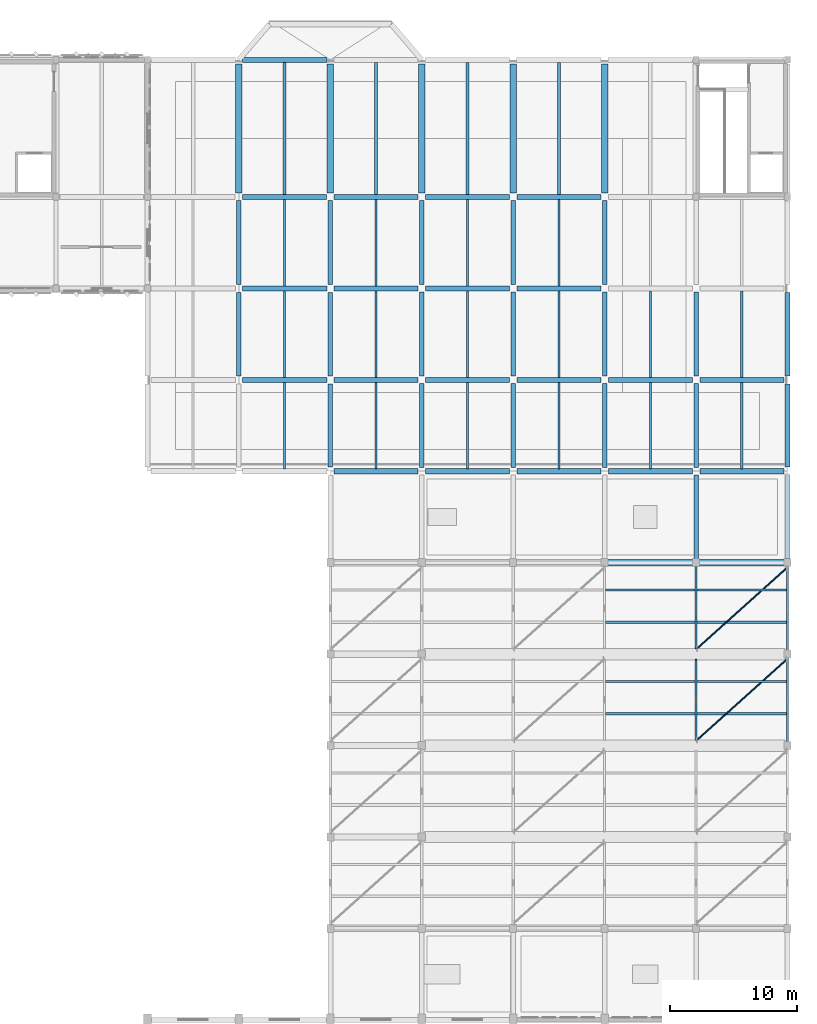
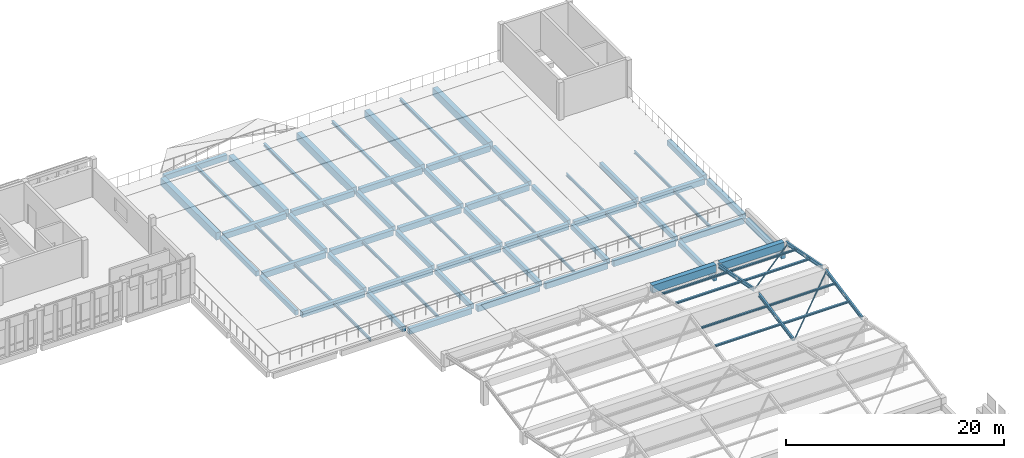
# One storey, part 47 of 72: 71 beams, 10 members.
"""IFC4 building model written with IfcOpenShell, lengths in metres."""

from ifc_helpers import new_model, si_unit, direction, frame, origin, origin_2d, place, context, subcontext, project, spatial, rectangle, hollow_circle, i_section, extrude, material, material_profile, profile_set, type_object, element, save


model = new_model("IFC4")

# Units and contexts
model_context = context("Model", 3, precision=1e-05, world=origin(), true_north=direction((0.0, 1.0)))
body_context = subcontext(model_context, "Body", "Model", "MODEL_VIEW")
ifc_project = project(units=[si_unit("LENGTHUNIT", "METRE"), si_unit("AREAUNIT", "SQUARE_METRE"), si_unit("VOLUMEUNIT", "CUBIC_METRE"), si_unit("PLANEANGLEUNIT", "RADIAN"), si_unit("MASSUNIT", "GRAM", prefix="KILO")], contexts=[model_context])

# Site, building, storey
site_placement = place(None, origin())
site = spatial("IfcSite", under=ifc_project, at=site_placement, CompositionType="ELEMENT")
building_placement = place(site_placement, origin())
building = spatial("IfcBuilding", under=site, at=building_placement, Name="Lusvemor Sports Hall", CompositionType="ELEMENT")
storey_placement = place(building_placement, frame((0.0, 0.0, 15.0)))
storey = spatial("IfcBuildingStorey", under=building, at=storey_placement, Name="L03", CompositionType="ELEMENT", Elevation=15.0)

# Beams
ifc_material_1 = material(Name="Concrete C40/50", Category="concrete")
ifc_material_profile_1 = material_profile(ifc_material_1, rectangle(XDim=0.35009765625, YDim=0.550048828125, at=origin_2d()), Name="RC350x550")
ifc_profile_set_1 = profile_set([ifc_material_profile_1], Name="Concrete C40/50")
beam_type_1 = type_object("IfcBeamType", Name="BEAM_RC_550", PredefinedType="BEAM", material=ifc_profile_set_1)
beam_1_placement = place(storey_placement, frame((126.0, 90.31591796875, -0.570068359375), z_axis=(0.0, 1.0, 0.0), x_axis=(-1.0, 0.0, 0.0)))
element("IfcBeam", 1, at=beam_1_placement, inside=storey, type_object=beam_type_1, Name="Beam L03 14:M-N", PredefinedType="BEAM", context=body_context, shape_type="SweptSolid", body=[
    extrude(rectangle(XDim=0.35009765625, YDim=0.550048828125, at=origin_2d()), origin(), (0.0, 0.0, 1.0), 6.568115234375),
])
beam_2_placement = place(storey_placement, frame((126.0, 97.51611328125, -0.570068359375), z_axis=(0.0, 1.0, 0.0), x_axis=(-1.0, 0.0, 0.0)))
element("IfcBeam", 2, at=beam_2_placement, inside=storey, type_object=beam_type_1, Name="Beam L03 14:N-P", PredefinedType="BEAM", context=body_context, shape_type="SweptSolid", body=[
    extrude(rectangle(XDim=0.35009765625, YDim=0.550048828125, at=origin_2d()), origin(), (0.0, 0.0, 1.0), 6.587890625),
])
for number, where, z_axis, x_axis, name in (
    (3, (133.199951171875, 83.115966796875, -0.570068359375), (0.0, 1.0, 0.0), (-1.0, 0.0, 0.0), "Beam L03 15:L-M"),
    (4, (133.199951171875, 90.31591796875, -0.570068359375), (0.0, 1.0, 0.0), (-1.0, 0.0, 0.0), "Beam L03 15:M-N"),
):
    element("IfcBeam", number, at=place(storey_placement, frame(where, z_axis=z_axis, x_axis=x_axis)), inside=storey, type_object=beam_type_1, Name=name, PredefinedType="BEAM", context=body_context, shape_type="SweptSolid", body=[
        extrude(rectangle(XDim=0.35009765625, YDim=0.550048828125, at=origin_2d()), origin(), (0.0, 0.0, 1.0), 6.568115234375),
    ])
beam_3_placement = place(storey_placement, frame((133.199951171875, 97.51611328125, -0.570068359375), z_axis=(0.0, 1.0, 0.0), x_axis=(-1.0, 0.0, 0.0)))
element("IfcBeam", 5, at=beam_3_placement, inside=storey, type_object=beam_type_1, Name="Beam L03 15:N-P", PredefinedType="BEAM", context=body_context, shape_type="SweptSolid", body=[
    extrude(rectangle(XDim=0.35009765625, YDim=0.550048828125, at=origin_2d()), origin(), (0.0, 0.0, 1.0), 6.587890625),
])
for number, where, z_axis, x_axis, name in (
    (6, (140.39990234375, 83.095947265625, -0.570068359375), (0.0, 1.0, 0.0), (-1.0, 0.0, 0.0), "Beam L03 16:L-M"),
    (7, (140.39990234375, 90.2958984375, -0.570068359375), (0.0, 1.0, 0.0), (-1.0, 0.0, 0.0), "Beam L03 16:M-N"),
):
    element("IfcBeam", number, at=place(storey_placement, frame(where, z_axis=z_axis, x_axis=x_axis)), inside=storey, type_object=beam_type_1, Name=name, PredefinedType="BEAM", context=body_context, shape_type="SweptSolid", body=[
        extrude(rectangle(XDim=0.35009765625, YDim=0.550048828125, at=origin_2d()), origin(), (0.0, 0.0, 1.0), 6.608154296875),
    ])
beam_4_placement = place(storey_placement, frame((140.39990234375, 97.49609375, -0.570068359375), z_axis=(0.0, 1.0, 0.0), x_axis=(-1.0, 0.0, 0.0)))
element("IfcBeam", 8, at=beam_4_placement, inside=storey, type_object=beam_type_1, Name="Beam L03 16:N-P", PredefinedType="BEAM", context=body_context, shape_type="SweptSolid", body=[
    extrude(rectangle(XDim=0.35009765625, YDim=0.550048828125, at=origin_2d()), origin(), (0.0, 0.0, 1.0), 6.60791015625),
])
for number, where, z_axis, x_axis, name in (
    (9, (147.60009765625, 83.095947265625, -0.570068359375), (0.0, 1.0, 0.0), (-1.0, 0.0, 0.0), "Beam L03 17:L-M"),
    (10, (147.60009765625, 90.2958984375, -0.570068359375), (0.0, 1.0, 0.0), (-1.0, 0.0, 0.0), "Beam L03 17:M-N"),
):
    element("IfcBeam", number, at=place(storey_placement, frame(where, z_axis=z_axis, x_axis=x_axis)), inside=storey, type_object=beam_type_1, Name=name, PredefinedType="BEAM", context=body_context, shape_type="SweptSolid", body=[
        extrude(rectangle(XDim=0.35009765625, YDim=0.550048828125, at=origin_2d()), origin(), (0.0, 0.0, 1.0), 6.608154296875),
    ])
beam_5_placement = place(storey_placement, frame((147.60009765625, 97.49609375, -0.570068359375), z_axis=(0.0, 1.0, 0.0), x_axis=(-1.0, 0.0, 0.0)))
element("IfcBeam", 11, at=beam_5_placement, inside=storey, type_object=beam_type_1, Name="Beam L03 17:N-P", PredefinedType="BEAM", context=body_context, shape_type="SweptSolid", body=[
    extrude(rectangle(XDim=0.35009765625, YDim=0.550048828125, at=origin_2d()), origin(), (0.0, 0.0, 1.0), 6.60791015625),
])
for number, where, z_axis, x_axis, name in (
    (12, (154.800048828125, 83.095947265625, -0.570068359375), (0.0, 1.0, 0.0), (-1.0, 0.0, 0.0), "Beam L03 18:L-M"),
    (13, (154.800048828125, 90.2958984375, -0.570068359375), (0.0, 1.0, 0.0), (-1.0, 0.0, 0.0), "Beam L03 18:M-N"),
):
    element("IfcBeam", number, at=place(storey_placement, frame(where, z_axis=z_axis, x_axis=x_axis)), inside=storey, type_object=beam_type_1, Name=name, PredefinedType="BEAM", context=body_context, shape_type="SweptSolid", body=[
        extrude(rectangle(XDim=0.35009765625, YDim=0.550048828125, at=origin_2d()), origin(), (0.0, 0.0, 1.0), 6.608154296875),
    ])
for number, where, z_axis, x_axis, name in (
    (14, (154.800048828125, 97.49609375, -0.570068359375), (0.0, 1.0, 0.0), (-1.0, 0.0, 0.0), "Beam L03 18:N-P"),
    (15, (162.0, 75.89599609375, -0.60498046875), (0.0, 1.0, 0.0), (-1.0, 0.0, 0.0), "Beam L03 19:K-L"),
):
    element("IfcBeam", number, at=place(storey_placement, frame(where, z_axis=z_axis, x_axis=x_axis)), inside=storey, type_object=beam_type_1, Name=name, PredefinedType="BEAM", context=body_context, shape_type="SweptSolid", body=[
        extrude(rectangle(XDim=0.35009765625, YDim=0.550048828125, at=origin_2d()), origin(), (0.0, 0.0, 1.0), 6.60791015625),
    ])
for number, where, z_axis, x_axis, name in (
    (16, (162.0, 83.095947265625, -0.570068359375), (0.0, 1.0, 0.0), (-1.0, 0.0, 0.0), "Beam L03 19:L-M"),
    (17, (162.0, 90.2958984375, -0.570068359375), (0.0, 1.0, 0.0), (-1.0, 0.0, 0.0), "Beam L03 19:M-N"),
):
    element("IfcBeam", number, at=place(storey_placement, frame(where, z_axis=z_axis, x_axis=x_axis)), inside=storey, type_object=beam_type_1, Name=name, PredefinedType="BEAM", context=body_context, shape_type="SweptSolid", body=[
        extrude(rectangle(XDim=0.35009765625, YDim=0.550048828125, at=origin_2d()), origin(), (0.0, 0.0, 1.0), 6.608154296875),
    ])
ifc_material_2 = material(Name="Concrete C40/50", Category="concrete")
ifc_material_profile_2 = material_profile(ifc_material_2, rectangle(XDim=0.39990234375, YDim=0.64990234375, at=origin_2d()), Name="RC400x650")
ifc_profile_set_2 = profile_set([ifc_material_profile_2], Name="Concrete C40/50")
beam_type_2 = type_object("IfcBeamType", Name="BEAM_RC_650", PredefinedType="BEAM", material=ifc_profile_set_2)
beam_6_placement = place(storey_placement, frame((133.47607421875, 82.800048828125, -0.655029296875), z_axis=(1.0, 0.0, 0.0), x_axis=(0.0, 1.0, 0.0)))
element("IfcBeam", 18, at=beam_6_placement, inside=storey, type_object=beam_type_2, Name="Beam L03 L:15-16", PredefinedType="BEAM", context=body_context, shape_type="SweptSolid", body=[
    extrude(rectangle(XDim=0.39990234375, YDim=0.64990234375, at=origin_2d()), origin(), (0.0, 0.0, 1.0), 6.6279296875),
])
for number, where, z_axis, x_axis, name in (
    (19, (140.696044921875, 82.800048828125, -0.655029296875), (1.0, 0.0, 0.0), (0.0, 1.0, 0.0), "Beam L03 L:16-17"),
    (20, (147.89599609375, 82.800048828125, -0.655029296875), (1.0, 0.0, 0.0), (0.0, 1.0, 0.0), "Beam L03 L:17-18"),
):
    element("IfcBeam", number, at=place(storey_placement, frame(where, z_axis=z_axis, x_axis=x_axis)), inside=storey, type_object=beam_type_2, Name=name, PredefinedType="BEAM", context=body_context, shape_type="SweptSolid", body=[
        extrude(rectangle(XDim=0.39990234375, YDim=0.64990234375, at=origin_2d()), origin(), (0.0, 0.0, 1.0), 6.60791015625),
    ])
beam_7_placement = place(storey_placement, frame((155.095947265625, 82.800048828125, -0.655029296875), z_axis=(1.0, 0.0, 0.0), x_axis=(0.0, 1.0, 0.0)))
element("IfcBeam", 21, at=beam_7_placement, inside=storey, type_object=beam_type_2, Name="Beam L03 L:18-19", PredefinedType="BEAM", context=body_context, shape_type="SweptSolid", body=[
    extrude(rectangle(XDim=0.39990234375, YDim=0.64990234375, at=origin_2d()), origin(), (0.0, 0.0, 1.0), 6.608154296875),
])
beam_8_placement = place(storey_placement, frame((162.2958984375, 82.800048828125, -0.655029296875), z_axis=(1.0, 0.0, 0.0), x_axis=(0.0, 1.0, 0.0)))
element("IfcBeam", 22, at=beam_8_placement, inside=storey, type_object=beam_type_2, Name="Beam L03 L:19-20", PredefinedType="BEAM", context=body_context, shape_type="SweptSolid", body=[
    extrude(rectangle(XDim=0.39990234375, YDim=0.64990234375, at=origin_2d()), origin(), (0.0, 0.0, 1.0), 6.628173828125),
])
beam_9_placement = place(storey_placement, frame((126.27587890625, 90.0, -0.6201171875), z_axis=(1.0, 0.0, 0.0), x_axis=(0.0, 1.0, 0.0)))
element("IfcBeam", 23, at=beam_9_placement, inside=storey, type_object=beam_type_2, Name="Beam L03 M:14-15", PredefinedType="BEAM", context=body_context, shape_type="SweptSolid", body=[
    extrude(rectangle(XDim=0.39990234375, YDim=0.64990234375, at=origin_2d()), origin(), (0.0, 0.0, 1.0), 6.648193359375),
])
beam_10_placement = place(storey_placement, frame((133.47607421875, 90.0, -0.6201171875), z_axis=(1.0, 0.0, 0.0), x_axis=(0.0, 1.0, 0.0)))
element("IfcBeam", 24, at=beam_10_placement, inside=storey, type_object=beam_type_2, Name="Beam L03 M:15-16", PredefinedType="BEAM", context=body_context, shape_type="SweptSolid", body=[
    extrude(rectangle(XDim=0.39990234375, YDim=0.64990234375, at=origin_2d()), origin(), (0.0, 0.0, 1.0), 6.6279296875),
])
for number, where, z_axis, x_axis, name in (
    (25, (140.696044921875, 90.0, -0.6201171875), (1.0, 0.0, 0.0), (0.0, 1.0, 0.0), "Beam L03 M:16-17"),
    (26, (147.89599609375, 90.0, -0.6201171875), (1.0, 0.0, 0.0), (0.0, 1.0, 0.0), "Beam L03 M:17-18"),
):
    element("IfcBeam", number, at=place(storey_placement, frame(where, z_axis=z_axis, x_axis=x_axis)), inside=storey, type_object=beam_type_2, Name=name, PredefinedType="BEAM", context=body_context, shape_type="SweptSolid", body=[
        extrude(rectangle(XDim=0.39990234375, YDim=0.64990234375, at=origin_2d()), origin(), (0.0, 0.0, 1.0), 6.60791015625),
    ])
beam_11_placement = place(storey_placement, frame((155.095947265625, 90.0, -0.6201171875), z_axis=(1.0, 0.0, 0.0), x_axis=(0.0, 1.0, 0.0)))
element("IfcBeam", 27, at=beam_11_placement, inside=storey, type_object=beam_type_2, Name="Beam L03 M:18-19", PredefinedType="BEAM", context=body_context, shape_type="SweptSolid", body=[
    extrude(rectangle(XDim=0.39990234375, YDim=0.64990234375, at=origin_2d()), origin(), (0.0, 0.0, 1.0), 6.608154296875),
])
beam_12_placement = place(storey_placement, frame((162.2958984375, 90.0, -0.6201171875), z_axis=(1.0, 0.0, 0.0), x_axis=(0.0, 1.0, 0.0)))
element("IfcBeam", 28, at=beam_12_placement, inside=storey, type_object=beam_type_2, Name="Beam L03 M:19-20", PredefinedType="BEAM", context=body_context, shape_type="SweptSolid", body=[
    extrude(rectangle(XDim=0.39990234375, YDim=0.64990234375, at=origin_2d()), origin(), (0.0, 0.0, 1.0), 6.628173828125),
])
beam_13_placement = place(storey_placement, frame((126.27587890625, 97.199951171875, -0.6201171875), z_axis=(1.0, 0.0, 0.0), x_axis=(0.0, 1.0, 0.0)))
element("IfcBeam", 29, at=beam_13_placement, inside=storey, type_object=beam_type_2, Name="Beam L03 N:14-15", PredefinedType="BEAM", context=body_context, shape_type="SweptSolid", body=[
    extrude(rectangle(XDim=0.39990234375, YDim=0.64990234375, at=origin_2d()), origin(), (0.0, 0.0, 1.0), 6.648193359375),
])
beam_14_placement = place(storey_placement, frame((133.47607421875, 97.199951171875, -0.6201171875), z_axis=(1.0, 0.0, 0.0), x_axis=(0.0, 1.0, 0.0)))
element("IfcBeam", 30, at=beam_14_placement, inside=storey, type_object=beam_type_2, Name="Beam L03 N:15-16", PredefinedType="BEAM", context=body_context, shape_type="SweptSolid", body=[
    extrude(rectangle(XDim=0.39990234375, YDim=0.64990234375, at=origin_2d()), origin(), (0.0, 0.0, 1.0), 6.6279296875),
])
for number, where, z_axis, x_axis, name in (
    (31, (140.696044921875, 97.199951171875, -0.6201171875), (1.0, 0.0, 0.0), (0.0, 1.0, 0.0), "Beam L03 N:16-17"),
    (32, (147.89599609375, 97.199951171875, -0.6201171875), (1.0, 0.0, 0.0), (0.0, 1.0, 0.0), "Beam L03 N:17-18"),
):
    element("IfcBeam", number, at=place(storey_placement, frame(where, z_axis=z_axis, x_axis=x_axis)), inside=storey, type_object=beam_type_2, Name=name, PredefinedType="BEAM", context=body_context, shape_type="SweptSolid", body=[
        extrude(rectangle(XDim=0.39990234375, YDim=0.64990234375, at=origin_2d()), origin(), (0.0, 0.0, 1.0), 6.60791015625),
    ])
beam_15_placement = place(storey_placement, frame((126.2958984375, 104.39990234375, -0.6201171875), z_axis=(1.0, 0.0, 0.0), x_axis=(0.0, 1.0, 0.0)))
element("IfcBeam", 33, at=beam_15_placement, inside=storey, type_object=beam_type_2, Name="Beam L03 P:14-15", PredefinedType="BEAM", context=body_context, shape_type="SweptSolid", body=[
    extrude(rectangle(XDim=0.39990234375, YDim=0.64990234375, at=origin_2d()), origin(), (0.0, 0.0, 1.0), 6.608154296875),
])
for number, where, z_axis, x_axis, name in (
    (34, (133.49609375, 104.39990234375, -0.6201171875), (1.0, 0.0, 0.0), (0.0, 1.0, 0.0), "Beam L03 P:15-16"),
    (35, (140.696044921875, 104.39990234375, -0.6201171875), (1.0, 0.0, 0.0), (0.0, 1.0, 0.0), "Beam L03 P:16-17"),
    (36, (147.89599609375, 104.39990234375, -0.6201171875), (1.0, 0.0, 0.0), (0.0, 1.0, 0.0), "Beam L03 P:17-18"),
):
    element("IfcBeam", number, at=place(storey_placement, frame(where, z_axis=z_axis, x_axis=x_axis)), inside=storey, type_object=beam_type_2, Name=name, PredefinedType="BEAM", context=body_context, shape_type="SweptSolid", body=[
        extrude(rectangle(XDim=0.39990234375, YDim=0.64990234375, at=origin_2d()), origin(), (0.0, 0.0, 1.0), 6.60791015625),
    ])
ifc_material_3 = material(Name="Steel S355", Category="steel")
ifc_material_profile_3 = material_profile(ifc_material_3, i_section(OverallWidth=0.177978515625, OverallDepth=0.406982421875, WebThickness=0.0078125, FlangeThickness=0.0126953125, FilletRadius=0.01611328125, at=origin_2d()), Name="W410x60.0")
ifc_profile_set_3 = profile_set([ifc_material_profile_3], Name="Steel S355")
beam_type_3 = type_object("IfcBeamType", Name="BEAM_ST_410", PredefinedType="BEAM", material=ifc_profile_set_3)
beam_16_placement = place(storey_placement, frame((162.0, 61.639892578125, 1.216796875), z_axis=(0.0, 0.981619533788, 0.190848345253), x_axis=(-1.0, 0.0, 0.0)))
element("IfcBeam", 37, at=beam_16_placement, inside=storey, type_object=beam_type_3, Name="Folded North-Light Rafter 19-3", PredefinedType="BEAM", context=body_context, shape_type="SweptSolid", body=[
    extrude(i_section(OverallWidth=0.177978515625, OverallDepth=0.406982421875, WebThickness=0.0078125, FlangeThickness=0.0126953125, FilletRadius=0.01611328125, at=origin_2d()), origin(), (0.0, 0.0, 1.0), 6.4384765625),
])
beam_17_placement = place(storey_placement, frame((169.199951171875, 61.43994140625, 1.177978515625), z_axis=(0.0, 0.98161594648, 0.190866795479), x_axis=(-1.0, 0.0, 0.0)))
element("IfcBeam", 38, at=beam_17_placement, inside=storey, type_object=beam_type_3, Name="Folded North-Light Rafter 20-3", PredefinedType="BEAM", context=body_context, shape_type="SweptSolid", body=[
    extrude(i_section(OverallWidth=0.177978515625, OverallDepth=0.406982421875, WebThickness=0.0078125, FlangeThickness=0.0126953125, FilletRadius=0.01611328125, at=origin_2d()), origin(), (0.0, 0.0, 1.0), 6.845703125),
])
beam_18_placement = place(storey_placement, frame((162.0, 68.840087890625, 2.445556640625), z_axis=(0.0, 0.98162112817, -0.190840144442), x_axis=(-1.0, 0.0, 0.0)))
element("IfcBeam", 39, at=beam_18_placement, inside=storey, type_object=beam_type_3, Name="Folded North-Light Rafter 19-4", PredefinedType="BEAM", context=body_context, shape_type="SweptSolid", body=[
    extrude(i_section(OverallWidth=0.177978515625, OverallDepth=0.406982421875, WebThickness=0.0078125, FlangeThickness=0.0126953125, FilletRadius=0.01611328125, at=origin_2d()), origin(), (0.0, 0.0, 1.0), 6.64208984375),
])
beam_19_placement = place(storey_placement, frame((169.199951171875, 68.639892578125, 2.484619140625), z_axis=(0.0, 0.981617245609, -0.190860114019), x_axis=(-1.0, 0.0, 0.0)))
element("IfcBeam", 40, at=beam_19_placement, inside=storey, type_object=beam_type_3, Name="Folded North-Light Rafter 20-4", PredefinedType="BEAM", context=body_context, shape_type="SweptSolid", body=[
    extrude(i_section(OverallWidth=0.177978515625, OverallDepth=0.406982421875, WebThickness=0.0078125, FlangeThickness=0.0126953125, FilletRadius=0.01611328125, at=origin_2d()), origin(), (0.0, 0.0, 1.0), 6.845947265625),
])

# Members
ifc_material_4 = material(Name="Steel S355", Category="steel")
ifc_material_profile_4 = material_profile(ifc_material_4, hollow_circle(Radius=0.06982421875, WallThickness=0.008056640625, at=origin_2d()), Name="CHS139.7x8.0")
ifc_profile_set_4 = profile_set([ifc_material_profile_4], Name="Steel S355")
member_type_1 = type_object("IfcMemberType", Name="BRACE_CLIMB_139", PredefinedType="BRACE", material=ifc_profile_set_4)
member_1_placement = place(storey_placement, frame((162.080078125, 61.639892578125, 1.070068359375), z_axis=(0.736117708702, 0.660836424094, 0.146376021005), x_axis=(-0.668031778841, 0.744132745187, 0.0)))
element("IfcMember", 41, at=member_1_placement, inside=storey, type_object=member_type_1, Name="Climbing Roof Brace 19-3", PredefinedType="BRACE", context=body_context, shape_type="SweptSolid", body=[
    extrude(hollow_circle(Radius=0.06982421875, WallThickness=0.008056640625, at=origin_2d()), origin(), (0.0, 0.0, 1.0), 9.563720703125),
])
member_2_placement = place(storey_placement, frame((162.080078125, 68.840087890625, 2.469970703125), z_axis=(0.736130126829, 0.66082204408, -0.146378490333), x_axis=(-0.668017488997, 0.744145573388, 0.0)))
element("IfcMember", 42, at=member_2_placement, inside=storey, type_object=member_type_1, Name="Climbing Roof Brace 19-4", PredefinedType="BRACE", context=body_context, shape_type="SweptSolid", body=[
    extrude(hollow_circle(Radius=0.06982421875, WallThickness=0.008056640625, at=origin_2d()), origin(), (0.0, 0.0, 1.0), 9.5634765625),
])

# Beams
ifc_material_5 = material(Name="Concrete C40/50", Category="concrete")
ifc_material_profile_5 = material_profile(ifc_material_5, rectangle(XDim=0.5, YDim=0.85009765625, at=origin_2d()), Name="RC500x850")
ifc_profile_set_5 = profile_set([ifc_material_profile_5], Name="Concrete C40/50")
beam_type_4 = type_object("IfcBeamType", Name="GIRD_RC_850", PredefinedType="T_BEAM", material=ifc_profile_set_5)
for number, where, z_axis, x_axis, name in (
    (43, (126.0, 104.696044921875, -0.719970703125), (0.0, 1.0, 0.0), (-1.0, 0.0, 0.0), "Beam L03 14:P-Q"),
    (44, (133.199951171875, 104.696044921875, -0.719970703125), (0.0, 1.0, 0.0), (-1.0, 0.0, 0.0), "Beam L03 15:P-Q"),
    (45, (140.39990234375, 104.696044921875, -0.719970703125), (0.0, 1.0, 0.0), (-1.0, 0.0, 0.0), "Beam L03 16:P-Q"),
    (46, (147.60009765625, 104.696044921875, -0.719970703125), (0.0, 1.0, 0.0), (-1.0, 0.0, 0.0), "Beam L03 17:P-Q"),
    (47, (154.800048828125, 104.696044921875, -0.719970703125), (0.0, 1.0, 0.0), (-1.0, 0.0, 0.0), "Beam L03 18:P-Q"),
):
    element("IfcBeam", number, at=place(storey_placement, frame(where, z_axis=z_axis, x_axis=x_axis)), inside=storey, type_object=beam_type_4, Name=name, PredefinedType="T_BEAM", context=body_context, shape_type="SweptSolid", body=[
        extrude(rectangle(XDim=0.5, YDim=0.85009765625, at=origin_2d()), origin(), (0.0, 0.0, 1.0), 10.18798828125),
    ])
for number, where, z_axis, x_axis, name in (
    (48, (155.02001953125, 75.60009765625, 0.925048828125), (1.0, 0.0, 0.0), (0.0, 1.0, 0.0), "Climbing Perimeter Eave Girder K:18-19"),
    (49, (162.219970703125, 75.60009765625, 0.925048828125), (1.0, 0.0, 0.0), (0.0, 1.0, 0.0), "Climbing Perimeter Eave Girder K:19-20"),
):
    element("IfcBeam", number, at=place(storey_placement, frame(where, z_axis=z_axis, x_axis=x_axis)), inside=storey, type_object=beam_type_4, Name=name, PredefinedType="T_BEAM", context=body_context, shape_type="SweptSolid", body=[
        extrude(rectangle(XDim=0.5, YDim=0.85009765625, at=origin_2d()), origin(), (0.0, 0.0, 1.0), 6.760009765625),
    ])
ifc_material_6 = material(Name="Steel S355", Category="steel")
ifc_material_profile_6 = material_profile(ifc_material_6, i_section(OverallWidth=0.25390625, OverallDepth=0.305908203125, WebThickness=0.0087890625, FlangeThickness=0.0146484375, FilletRadius=0.014892578125, at=origin_2d()), Name="W310x79.0")
ifc_profile_set_6 = profile_set([ifc_material_profile_6], Name="Steel S355")
beam_type_5 = type_object("IfcBeamType", Name="JOIST_ST_310H", PredefinedType="JOIST", material=ifc_profile_set_6)
for number, where, z_axis, x_axis, name in (
    (50, (129.60009765625, 104.595947265625, -0.451904296875), (0.0, 1.0, 0.0), (-1.0, 0.0, 0.0), "Secondary Joist L03 14-15/P-Q #1"),
    (51, (136.800048828125, 104.595947265625, -0.451904296875), (0.0, 1.0, 0.0), (-1.0, 0.0, 0.0), "Secondary Joist L03 15-16/P-Q #1"),
    (52, (144.0, 104.595947265625, -0.451904296875), (0.0, 1.0, 0.0), (-1.0, 0.0, 0.0), "Secondary Joist L03 16-17/P-Q #1"),
    (53, (151.199951171875, 104.595947265625, -0.451904296875), (0.0, 1.0, 0.0), (-1.0, 0.0, 0.0), "Secondary Joist L03 17-18/P-Q #1"),
):
    element("IfcBeam", number, at=place(storey_placement, frame(where, z_axis=z_axis, x_axis=x_axis)), inside=storey, type_object=beam_type_5, Name=name, PredefinedType="JOIST", context=body_context, shape_type="SweptSolid", body=[
        extrude(i_section(OverallWidth=0.25390625, OverallDepth=0.305908203125, WebThickness=0.0087890625, FlangeThickness=0.0146484375, FilletRadius=0.014892578125, at=origin_2d()), origin(), (0.0, 0.0, 1.0), 10.407958984375),
    ])
ifc_material_7 = material(Name="Steel S355", Category="steel")
ifc_material_profile_7 = material_profile(ifc_material_7, i_section(OverallWidth=0.1669921875, OverallDepth=0.31689453125, WebThickness=0.007568359375, FlangeThickness=0.01318359375, FilletRadius=0.014892578125, at=origin_2d()), Name="W310x52.0")
ifc_profile_set_7 = profile_set([ifc_material_profile_7], Name="Steel S355")
beam_type_6 = type_object("IfcBeamType", Name="JOIST_ST_310M", PredefinedType="JOIST", material=ifc_profile_set_7)
for number, where, z_axis, x_axis, name in (
    (54, (129.60009765625, 82.99609375, -0.45751953125), (0.0, 1.0, 0.0), (-1.0, 0.0, 0.0), "Secondary Joist L03 14-15/L-M #1"),
    (55, (129.60009765625, 90.196044921875, -0.45751953125), (0.0, 1.0, 0.0), (-1.0, 0.0, 0.0), "Secondary Joist L03 14-15/M-N #1"),
):
    element("IfcBeam", number, at=place(storey_placement, frame(where, z_axis=z_axis, x_axis=x_axis)), inside=storey, type_object=beam_type_6, Name=name, PredefinedType="JOIST", context=body_context, shape_type="SweptSolid", body=[
        extrude(i_section(OverallWidth=0.1669921875, OverallDepth=0.31689453125, WebThickness=0.007568359375, FlangeThickness=0.01318359375, FilletRadius=0.014892578125, at=origin_2d()), origin(), (0.0, 0.0, 1.0), 6.807861328125),
    ])
beam_20_placement = place(storey_placement, frame((129.60009765625, 97.39599609375, -0.45751953125), z_axis=(0.0, 1.0, 0.0), x_axis=(-1.0, 0.0, 0.0)))
element("IfcBeam", 56, at=beam_20_placement, inside=storey, type_object=beam_type_6, Name="Secondary Joist L03 14-15/N-P #1", PredefinedType="JOIST", context=body_context, shape_type="SweptSolid", body=[
    extrude(i_section(OverallWidth=0.1669921875, OverallDepth=0.31689453125, WebThickness=0.007568359375, FlangeThickness=0.01318359375, FilletRadius=0.014892578125, at=origin_2d()), origin(), (0.0, 0.0, 1.0), 6.80810546875),
])
for number, where, z_axis, x_axis, name in (
    (57, (136.800048828125, 82.99609375, -0.45751953125), (0.0, 1.0, 0.0), (-1.0, 0.0, 0.0), "Secondary Joist L03 15-16/L-M #1"),
    (58, (136.800048828125, 90.196044921875, -0.45751953125), (0.0, 1.0, 0.0), (-1.0, 0.0, 0.0), "Secondary Joist L03 15-16/M-N #1"),
):
    element("IfcBeam", number, at=place(storey_placement, frame(where, z_axis=z_axis, x_axis=x_axis)), inside=storey, type_object=beam_type_6, Name=name, PredefinedType="JOIST", context=body_context, shape_type="SweptSolid", body=[
        extrude(i_section(OverallWidth=0.1669921875, OverallDepth=0.31689453125, WebThickness=0.007568359375, FlangeThickness=0.01318359375, FilletRadius=0.014892578125, at=origin_2d()), origin(), (0.0, 0.0, 1.0), 6.807861328125),
    ])
beam_21_placement = place(storey_placement, frame((136.800048828125, 97.39599609375, -0.45751953125), z_axis=(0.0, 1.0, 0.0), x_axis=(-1.0, 0.0, 0.0)))
element("IfcBeam", 59, at=beam_21_placement, inside=storey, type_object=beam_type_6, Name="Secondary Joist L03 15-16/N-P #1", PredefinedType="JOIST", context=body_context, shape_type="SweptSolid", body=[
    extrude(i_section(OverallWidth=0.1669921875, OverallDepth=0.31689453125, WebThickness=0.007568359375, FlangeThickness=0.01318359375, FilletRadius=0.014892578125, at=origin_2d()), origin(), (0.0, 0.0, 1.0), 6.80810546875),
])
for number, where, z_axis, x_axis, name in (
    (60, (144.0, 82.99609375, -0.45751953125), (0.0, 1.0, 0.0), (-1.0, 0.0, 0.0), "Secondary Joist L03 16-17/L-M #1"),
    (61, (144.0, 90.196044921875, -0.45751953125), (0.0, 1.0, 0.0), (-1.0, 0.0, 0.0), "Secondary Joist L03 16-17/M-N #1"),
):
    element("IfcBeam", number, at=place(storey_placement, frame(where, z_axis=z_axis, x_axis=x_axis)), inside=storey, type_object=beam_type_6, Name=name, PredefinedType="JOIST", context=body_context, shape_type="SweptSolid", body=[
        extrude(i_section(OverallWidth=0.1669921875, OverallDepth=0.31689453125, WebThickness=0.007568359375, FlangeThickness=0.01318359375, FilletRadius=0.014892578125, at=origin_2d()), origin(), (0.0, 0.0, 1.0), 6.807861328125),
    ])
beam_22_placement = place(storey_placement, frame((144.0, 97.39599609375, -0.45751953125), z_axis=(0.0, 1.0, 0.0), x_axis=(-1.0, 0.0, 0.0)))
element("IfcBeam", 62, at=beam_22_placement, inside=storey, type_object=beam_type_6, Name="Secondary Joist L03 16-17/N-P #1", PredefinedType="JOIST", context=body_context, shape_type="SweptSolid", body=[
    extrude(i_section(OverallWidth=0.1669921875, OverallDepth=0.31689453125, WebThickness=0.007568359375, FlangeThickness=0.01318359375, FilletRadius=0.014892578125, at=origin_2d()), origin(), (0.0, 0.0, 1.0), 6.80810546875),
])
for number, where, z_axis, x_axis, name in (
    (63, (151.199951171875, 82.99609375, -0.45751953125), (0.0, 1.0, 0.0), (-1.0, 0.0, 0.0), "Secondary Joist L03 17-18/L-M #1"),
    (64, (151.199951171875, 90.196044921875, -0.45751953125), (0.0, 1.0, 0.0), (-1.0, 0.0, 0.0), "Secondary Joist L03 17-18/M-N #1"),
):
    element("IfcBeam", number, at=place(storey_placement, frame(where, z_axis=z_axis, x_axis=x_axis)), inside=storey, type_object=beam_type_6, Name=name, PredefinedType="JOIST", context=body_context, shape_type="SweptSolid", body=[
        extrude(i_section(OverallWidth=0.1669921875, OverallDepth=0.31689453125, WebThickness=0.007568359375, FlangeThickness=0.01318359375, FilletRadius=0.014892578125, at=origin_2d()), origin(), (0.0, 0.0, 1.0), 6.807861328125),
    ])
beam_23_placement = place(storey_placement, frame((151.199951171875, 97.39599609375, -0.45751953125), z_axis=(0.0, 1.0, 0.0), x_axis=(-1.0, 0.0, 0.0)))
element("IfcBeam", 65, at=beam_23_placement, inside=storey, type_object=beam_type_6, Name="Secondary Joist L03 17-18/N-P #1", PredefinedType="JOIST", context=body_context, shape_type="SweptSolid", body=[
    extrude(i_section(OverallWidth=0.1669921875, OverallDepth=0.31689453125, WebThickness=0.007568359375, FlangeThickness=0.01318359375, FilletRadius=0.014892578125, at=origin_2d()), origin(), (0.0, 0.0, 1.0), 6.80810546875),
])
for number, where, z_axis, x_axis, name in (
    (66, (158.39990234375, 82.99609375, -0.45751953125), (0.0, 1.0, 0.0), (-1.0, 0.0, 0.0), "Secondary Joist L03 18-19/L-M #1"),
    (67, (158.39990234375, 90.196044921875, -0.45751953125), (0.0, 1.0, 0.0), (-1.0, 0.0, 0.0), "Secondary Joist L03 18-19/M-N #1"),
    (68, (165.60009765625, 82.99609375, -0.45751953125), (0.0, 1.0, 0.0), (-1.0, 0.0, 0.0), "Secondary Joist L03 19-20/L-M #1"),
    (69, (165.60009765625, 90.196044921875, -0.45751953125), (0.0, 1.0, 0.0), (-1.0, 0.0, 0.0), "Secondary Joist L03 19-20/M-N #1"),
):
    element("IfcBeam", number, at=place(storey_placement, frame(where, z_axis=z_axis, x_axis=x_axis)), inside=storey, type_object=beam_type_6, Name=name, PredefinedType="JOIST", context=body_context, shape_type="SweptSolid", body=[
        extrude(i_section(OverallWidth=0.1669921875, OverallDepth=0.31689453125, WebThickness=0.007568359375, FlangeThickness=0.01318359375, FilletRadius=0.014892578125, at=origin_2d()), origin(), (0.0, 0.0, 1.0), 6.807861328125),
    ])

# Members
ifc_material_8 = material(Name="Steel S355", Category="steel")
ifc_material_profile_8 = material_profile(ifc_material_8, i_section(OverallWidth=0.202880859375, OverallDepth=0.202880859375, WebThickness=0.007080078125, FlangeThickness=0.010986328125, FilletRadius=0.010009765625, at=origin_2d()), Name="W200x46.1")
ifc_profile_set_8 = profile_set([ifc_material_profile_8], Name="Steel S355")
member_type_2 = type_object("IfcMemberType", Name="PURL_CLIMB_200H", PredefinedType="PURLIN", material=ifc_profile_set_8)
for number, where, z_axis, x_axis, name in (
    (70, (154.8798828125, 63.719970703125, 1.709228515625), (1.0, 0.0, 0.0), (0.0, 1.0, 0.0), "Sawtooth Purlin 18-3-1"),
    (71, (162.080078125, 63.719970703125, 1.709228515625), (1.0, 0.0, 0.0), (0.0, 1.0, 0.0), "Sawtooth Purlin 19-3-1"),
    (72, (154.8798828125, 70.919921875, 2.12939453125), (1.0, 0.0, 0.0), (0.0, 1.0, 0.0), "Sawtooth Purlin 18-4-1"),
    (73, (162.080078125, 70.919921875, 2.12939453125), (1.0, 0.0, 0.0), (0.0, 1.0, 0.0), "Sawtooth Purlin 19-4-1"),
):
    element("IfcMember", number, at=place(storey_placement, frame(where, z_axis=z_axis, x_axis=x_axis)), inside=storey, type_object=member_type_2, Name=name, PredefinedType="PURLIN", context=body_context, shape_type="SweptSolid", body=[
        extrude(i_section(OverallWidth=0.202880859375, OverallDepth=0.202880859375, WebThickness=0.007080078125, FlangeThickness=0.010986328125, FilletRadius=0.010009765625, at=origin_2d()), origin(), (0.0, 0.0, 1.0), 7.0400390625),
    ])
ifc_material_9 = material(Name="Steel S355", Category="steel")
ifc_material_profile_9 = material_profile(ifc_material_9, i_section(OverallWidth=0.1650390625, OverallDepth=0.200927734375, WebThickness=0.006103515625, FlangeThickness=0.01025390625, FilletRadius=0.010009765625, at=origin_2d()), Name="W200x35.9")
ifc_profile_set_9 = profile_set([ifc_material_profile_9], Name="Steel S355")
member_type_3 = type_object("IfcMemberType", Name="PURL_CLIMB_200M", PredefinedType="PURLIN", material=ifc_profile_set_9)
for number, where, z_axis, x_axis, name in (
    (74, (154.8798828125, 66.239990234375, 2.2041015625), (1.0, 0.0, 0.0), (0.0, 1.0, 0.0), "Sawtooth Purlin 18-3-2"),
    (75, (162.080078125, 66.239990234375, 2.2041015625), (1.0, 0.0, 0.0), (0.0, 1.0, 0.0), "Sawtooth Purlin 19-3-2"),
    (76, (154.8798828125, 73.43994140625, 1.64404296875), (1.0, 0.0, 0.0), (0.0, 1.0, 0.0), "Sawtooth Purlin 18-4-2"),
    (77, (162.080078125, 73.43994140625, 1.64404296875), (1.0, 0.0, 0.0), (0.0, 1.0, 0.0), "Sawtooth Purlin 19-4-2"),
):
    element("IfcMember", number, at=place(storey_placement, frame(where, z_axis=z_axis, x_axis=x_axis)), inside=storey, type_object=member_type_3, Name=name, PredefinedType="PURLIN", context=body_context, shape_type="SweptSolid", body=[
        extrude(i_section(OverallWidth=0.1650390625, OverallDepth=0.200927734375, WebThickness=0.006103515625, FlangeThickness=0.01025390625, FilletRadius=0.010009765625, at=origin_2d()), origin(), (0.0, 0.0, 1.0), 7.0400390625),
    ])

# Beams
ifc_material_10 = material(Name="Concrete C40/50", Category="concrete")
ifc_material_profile_10 = material_profile(ifc_material_10, rectangle(XDim=0.39990234375, YDim=0.610107421875, at=origin_2d()), Name="RC400x610")
ifc_profile_set_10 = profile_set([ifc_material_profile_10], Name="Concrete C40/50")
beam_type_7 = type_object("IfcBeamType", Name="SPAND_EXT_650", PredefinedType="SPANDREL", material=ifc_profile_set_10)
beam_24_placement = place(storey_placement, frame((126.27587890625, 115.199951171875, -0.60009765625), z_axis=(1.0, 0.0, 0.0), x_axis=(0.0, 1.0, 0.0)))
element("IfcBeam", 78, at=beam_24_placement, inside=storey, type_object=beam_type_7, Name="Beam L03 Q:14-15", PredefinedType="SPANDREL", context=body_context, shape_type="SweptSolid", body=[
    extrude(rectangle(XDim=0.39990234375, YDim=0.610107421875, at=origin_2d()), origin(), (0.0, 0.0, 1.0), 6.648193359375),
])
beam_25_placement = place(storey_placement, frame((169.199951171875, 75.916015625, -0.635009765625), z_axis=(0.0, 1.0, 0.0), x_axis=(-1.0, 0.0, 0.0)))
element("IfcBeam", 79, at=beam_25_placement, inside=storey, type_object=beam_type_7, Name="Beam L03 20:K-L", PredefinedType="SPANDREL", context=body_context, shape_type="SweptSolid", body=[
    extrude(rectangle(XDim=0.39990234375, YDim=0.610107421875, at=origin_2d()), origin(), (0.0, 0.0, 1.0), 6.56787109375),
])
for number, where, z_axis, x_axis, name in (
    (80, (169.199951171875, 83.115966796875, -0.60009765625), (0.0, 1.0, 0.0), (-1.0, 0.0, 0.0), "Beam L03 20:L-M"),
    (81, (169.199951171875, 90.31591796875, -0.60009765625), (0.0, 1.0, 0.0), (-1.0, 0.0, 0.0), "Beam L03 20:M-N"),
):
    element("IfcBeam", number, at=place(storey_placement, frame(where, z_axis=z_axis, x_axis=x_axis)), inside=storey, type_object=beam_type_7, Name=name, PredefinedType="SPANDREL", context=body_context, shape_type="SweptSolid", body=[
        extrude(rectangle(XDim=0.39990234375, YDim=0.610107421875, at=origin_2d()), origin(), (0.0, 0.0, 1.0), 6.568115234375),
    ])

save(model, "model.ifc")
